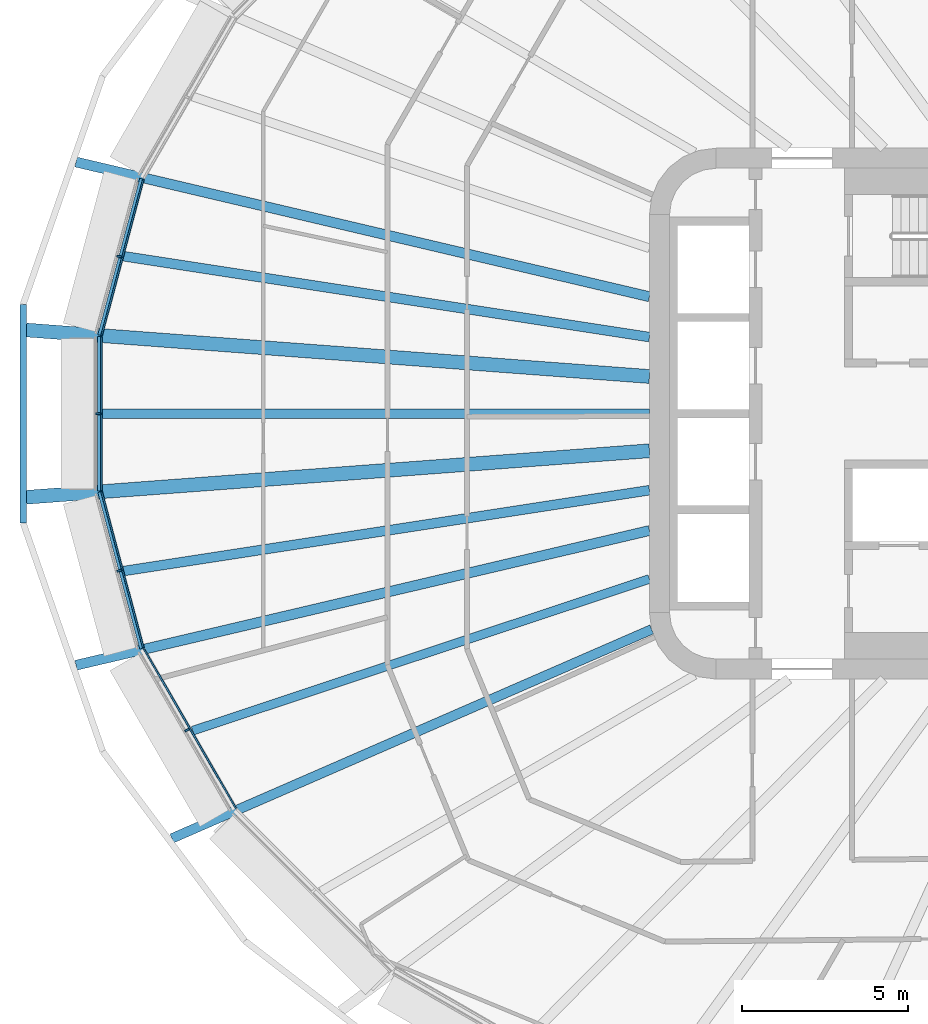
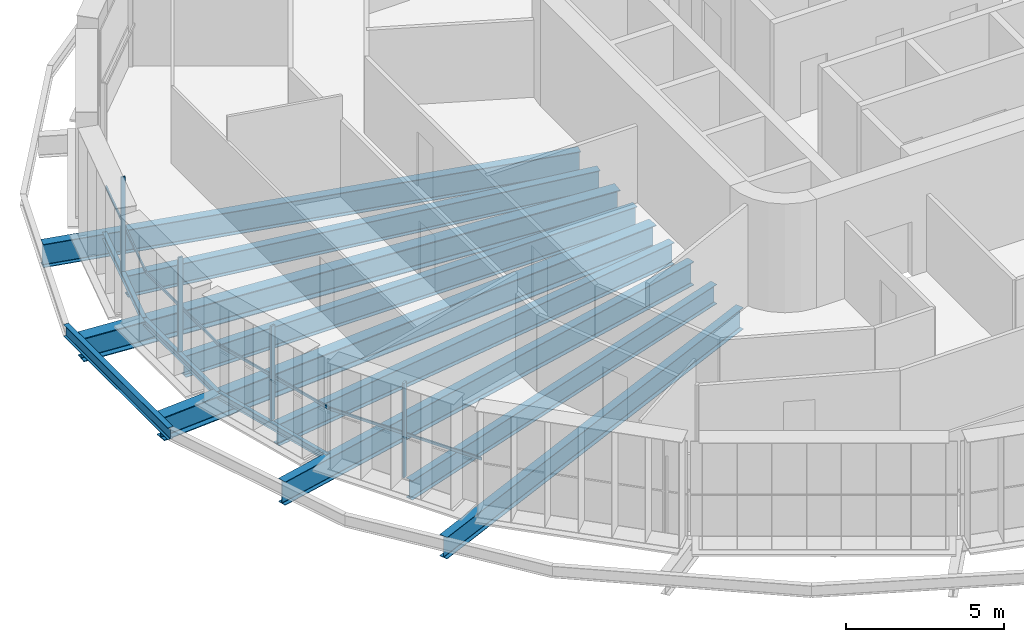
# One storey, part 3 of 26: 13 beams, 8 members, 4 elements without a shape of their own.
"""IFC4 building model written with IfcOpenShell, lengths in metres."""

from ifc_helpers import new_model, si_unit, direction, frame, origin, origin_2d, place, context, subcontext, project, spatial, rectangle, i_section, extrude, material, layer, layer_set, material_profile, profile_set, type_object, element, aggregate, save


model = new_model("IFC4")

# Units and contexts
model_context = context("Model", 3, precision=1e-05, world=origin(), true_north=direction((0.0, 1.0)))
body_context = subcontext(model_context, "Body", "Model", "MODEL_VIEW")
ifc_project = project(units=[si_unit("LENGTHUNIT", "METRE"), si_unit("AREAUNIT", "SQUARE_METRE"), si_unit("VOLUMEUNIT", "CUBIC_METRE"), si_unit("PLANEANGLEUNIT", "RADIAN"), si_unit("MASSUNIT", "GRAM", prefix="KILO")], contexts=[model_context])

# Site, building, storey
site_placement = place(None, origin())
site = spatial("IfcSite", under=ifc_project, at=site_placement, CompositionType="ELEMENT")
building_placement = place(site_placement, origin())
building = spatial("IfcBuilding", under=site, at=building_placement, Name="Sahrelin Media Tower", CompositionType="ELEMENT")
storey_placement = place(building_placement, frame((0.0, 0.0, 88.199951171875)))
storey = spatial("IfcBuildingStorey", under=building, at=storey_placement, Name="L16", CompositionType="ELEMENT", Elevation=88.199951171875)

# Beams
ifc_material_1 = material(Name="Steel S355", Category="steel")
ifc_material_profile_1 = material_profile(ifc_material_1, i_section(OverallWidth=0.14599609375, OverallDepth=0.25146484375, WebThickness=0.006103515625, FlangeThickness=0.008544921875, FilletRadius=0.007568359375, at=origin_2d()), Name="UB 254x146x31")
ifc_profile_set_1 = profile_set([ifc_material_profile_1], Name="Steel S355")
beam_type_1 = type_object("IfcBeamType", Name="Edge beam EB1", PredefinedType="BEAM", material=ifc_profile_set_1)
beam_1_placement = place(storey_placement, frame((-30.2939453125, -7.07666015625, -0.275634765625), z_axis=(-0.258845236834, 0.965918807855, 0.0), x_axis=(-0.965918807855, -0.258845236834, 0.0)))
element("IfcBeam", 1, at=beam_1_placement, inside=storey, type_object=beam_type_1, Name="Edge beam L16-12", PredefinedType="BEAM", context=body_context, shape_type="SweptSolid", body=[
    extrude(i_section(OverallWidth=0.14599609375, OverallDepth=0.25146484375, WebThickness=0.006103515625, FlangeThickness=0.008544921875, FilletRadius=0.007568359375, at=origin_2d()), origin(), (0.0, 0.0, 1.0), 4.882080078125),
])
beam_2_placement = place(storey_placement, frame((-31.561279296875, -2.33251953125, -0.275634765625), z_axis=(0.0, 1.0, 0.0), x_axis=(-1.0, 0.0, 0.0)))
element("IfcBeam", 2, at=beam_2_placement, inside=storey, type_object=beam_type_1, Name="Edge beam L16-13", PredefinedType="BEAM", context=body_context, shape_type="SweptSolid", body=[
    extrude(i_section(OverallWidth=0.14599609375, OverallDepth=0.25146484375, WebThickness=0.006103515625, FlangeThickness=0.008544921875, FilletRadius=0.007568359375, at=origin_2d()), origin(), (0.0, 0.0, 1.0), 4.6650390625),
])
beam_3_placement = place(storey_placement, frame((-31.5576171875, 2.361083984375, -0.275634765625), z_axis=(0.258845236834, 0.965918807855, 0.0), x_axis=(-0.965918807855, 0.258845236834, 0.0)))
element("IfcBeam", 3, at=beam_3_placement, inside=storey, type_object=beam_type_1, Name="Edge beam L16-14", PredefinedType="BEAM", context=body_context, shape_type="SweptSolid", body=[
    extrude(i_section(OverallWidth=0.14599609375, OverallDepth=0.25146484375, WebThickness=0.006103515625, FlangeThickness=0.008544921875, FilletRadius=0.007568359375, at=origin_2d()), origin(), (0.0, 0.0, 1.0), 4.882080078125),
])

# Curtain wall, member
ifc_material_2 = material(Name="Champagne anodised aluminium 6063-T6", Category="aluminium")
ifc_layer = layer(ifc_material_2, 0.14990234375)
ifc_layer_set = layer_set([ifc_layer], Name="Tower ribbon curtain wall")
curtain_wall_type = type_object("IfcCurtainWallType", Name="Tower ribbon curtain wall", PredefinedType="NOTDEFINED", material=ifc_layer_set)
curtain_wall_1_placement = place(storey_placement, frame((-31.07080078125, 4.757568359375, 0.0), z_axis=(0.0, 0.0, 1.0), x_axis=(1.0, 0.0, 0.0)))
curtain_wall_1 = element("IfcCurtainWall", 4, at=curtain_wall_1_placement, inside=storey, type_object=curtain_wall_type, Name="L16:CW:L16-11", PredefinedType="NOTDEFINED")
ifc_material_profile_2 = material_profile(ifc_material_2, rectangle(XDim=0.06005859375, YDim=0.14990234375, at=origin_2d()), Name="Mullion 60x150")
ifc_profile_set_2 = profile_set([ifc_material_profile_2], Name="Champagne anodised aluminium 6063-T6")
member_type_1 = type_object("IfcMemberType", Name="Mullion 60x150 CW1", PredefinedType="MULLION", material=ifc_profile_set_2)
member_1_placement = place(storey_placement, frame((-30.97900390625, 4.733154296875, 0.0), z_axis=(0.0, 0.0, 1.0), x_axis=(-0.258817359244, -0.965926278012, 0.0)))
member_1 = element("IfcMember", 5, at=member_1_placement, type_object=member_type_1, Name="L16:CWM:L16-11", PredefinedType="MULLION", context=body_context, shape_type="SweptSolid", body=[
    extrude(rectangle(XDim=0.06005859375, YDim=0.14990234375, at=origin_2d()), origin(), (0.0, 0.0, 1.0), 3.648681640625),
])

curtain_wall_2_placement = place(storey_placement, frame((-31.711181640625, 0.0, 0.0), z_axis=(0.0, 0.0, 1.0), x_axis=(1.0, 0.0, 0.0)))
curtain_wall_2 = element("IfcCurtainWall", 6, at=curtain_wall_2_placement, inside=storey, type_object=curtain_wall_type, Name="L16:CW:L16-12", PredefinedType="NOTDEFINED")
member_2_placement = place(storey_placement, frame((-31.6162109375, 0.0, 0.0), z_axis=(0.0, 0.0, 1.0), x_axis=(0.0, -1.0, 0.0)))
member_2 = element("IfcMember", 7, at=member_2_placement, type_object=member_type_1, Name="L16:CWM:L16-12", PredefinedType="MULLION", context=body_context, shape_type="SweptSolid", body=[
    extrude(rectangle(XDim=0.06005859375, YDim=0.14990234375, at=origin_2d()), origin(), (0.0, 0.0, 1.0), 3.648681640625),
])

curtain_wall_3_placement = place(storey_placement, frame((-31.07080078125, -4.757568359375, 0.0), z_axis=(0.0, 0.0, 1.0), x_axis=(1.0, 0.0, 0.0)))
curtain_wall_3 = element("IfcCurtainWall", 8, at=curtain_wall_3_placement, inside=storey, type_object=curtain_wall_type, Name="L16:CW:L16-13", PredefinedType="NOTDEFINED")
member_3_placement = place(storey_placement, frame((-30.97900390625, -4.733154296875, 0.0), z_axis=(0.0, 0.0, 1.0), x_axis=(0.258817359244, -0.965926278012, 0.0)))
member_3 = element("IfcMember", 9, at=member_3_placement, type_object=member_type_1, Name="L16:CWM:L16-13", PredefinedType="MULLION", context=body_context, shape_type="SweptSolid", body=[
    extrude(rectangle(XDim=0.06005859375, YDim=0.14990234375, at=origin_2d()), origin(), (0.0, 0.0, 1.0), 3.648681640625),
])

curtain_wall_4_placement = place(storey_placement, frame((-29.021484375, -9.58837890625, 0.0), z_axis=(0.0, 0.0, 1.0), x_axis=(1.0, 0.0, 0.0)))
curtain_wall_4 = element("IfcCurtainWall", 10, at=curtain_wall_4_placement, inside=storey, type_object=curtain_wall_type, Name="L16:CW:L16-14", PredefinedType="NOTDEFINED")
member_4_placement = place(storey_placement, frame((-28.939208984375, -9.540771484375, 0.0), z_axis=(0.0, 0.0, 1.0), x_axis=(0.499990930976, -0.866030639725, 0.0)))
member_4 = element("IfcMember", 11, at=member_4_placement, type_object=member_type_1, Name="L16:CWM:L16-14", PredefinedType="MULLION", context=body_context, shape_type="SweptSolid", body=[
    extrude(rectangle(XDim=0.06005859375, YDim=0.14990234375, at=origin_2d()), origin(), (0.0, 0.0, 1.0), 3.648681640625),
])

# Beams
ifc_material_profile_3 = material_profile(ifc_material_1, i_section(OverallWidth=0.291748046875, OverallDepth=0.8349609375, WebThickness=0.013916015625, FlangeThickness=0.018798828125, FilletRadius=0.017822265625, at=origin_2d()), Name="UB 838x292x176")
ifc_profile_set_3 = profile_set([ifc_material_profile_3], Name="Steel S355")
beam_type_2 = type_object("IfcBeamType", Name="Radial primary beam PB10", PredefinedType="BEAM", material=ifc_profile_set_3)
beam_4_placement = place(storey_placement, frame((-14.93359375, -6.5048828125, -0.5673828125), z_axis=(-0.916801900048, -0.399342304381, 0.0), x_axis=(0.399342304381, -0.916801900048, 0.0)))
element("IfcBeam", 12, at=beam_4_placement, inside=storey, type_object=beam_type_2, Name="Radial beam L16-15", PredefinedType="BEAM", context=body_context, shape_type="SweptSolid", body=[
    extrude(i_section(OverallWidth=0.291748046875, OverallDepth=0.8349609375, WebThickness=0.013916015625, FlangeThickness=0.018798828125, FilletRadius=0.017822265625, at=origin_2d()), origin(), (0.0, 0.0, 1.0), 15.77490234375),
])
ifc_material_profile_4 = material_profile(ifc_material_1, i_section(OverallWidth=0.30322265625, OverallDepth=0.903076171875, WebThickness=0.01513671875, FlangeThickness=0.020263671875, FilletRadius=0.01904296875, at=origin_2d()), Name="UB 914x305x201")
ifc_profile_set_4 = profile_set([ifc_material_profile_4], Name="Steel S355")
beam_type_3 = type_object("IfcBeamType", Name="Radial primary beam PB11", PredefinedType="BEAM", material=ifc_profile_set_4)
for number, where, z_axis, x_axis, name in (
    (13, (-15.0, 3.523681640625, -0.6015625), (-0.973498615926, 0.228692904986, 0.0), (-0.228692904986, -0.973498615926, 0.0), "Radial beam L16-11"),
    (14, (-15.0, -3.523681640625, -0.6015625), (-0.973498615926, -0.228692904986, 0.0), (0.228692904986, -0.973498615926, 0.0), "Radial beam L16-14"),
):
    element("IfcBeam", number, at=place(storey_placement, frame(where, z_axis=z_axis, x_axis=x_axis)), inside=storey, type_object=beam_type_3, Name=name, PredefinedType="BEAM", context=body_context, shape_type="SweptSolid", body=[
        extrude(i_section(OverallWidth=0.30322265625, OverallDepth=0.903076171875, WebThickness=0.01513671875, FlangeThickness=0.020263671875, FilletRadius=0.01904296875, at=origin_2d()), origin(), (0.0, 0.0, 1.0), 17.75537109375),
    ])
ifc_material_profile_5 = material_profile(ifc_material_1, i_section(OverallWidth=0.41845703125, OverallDepth=0.911865234375, WebThickness=0.019287109375, FlangeThickness=0.031982421875, FilletRadius=0.024169921875, at=origin_2d()), Name="UB 914x419x343")
ifc_profile_set_5 = profile_set([ifc_material_profile_5], Name="Steel S355")
beam_type_4 = type_object("IfcBeamType", Name="Radial primary beam PB12", PredefinedType="BEAM", material=ifc_profile_set_5)
for number, where, z_axis, x_axis, name in (
    (15, (-15.0, 1.119384765625, -0.60595703125), (-0.997226576238, 0.074425503994, 0.0), (-0.074425503994, -0.997226576238, 0.0), "Radial beam L16-12"),
    (16, (-15.0, -1.119384765625, -0.60595703125), (-0.997226576238, -0.074425503994, 0.0), (0.074425503994, -0.997226576238, 0.0), "Radial beam L16-13"),
):
    element("IfcBeam", number, at=place(storey_placement, frame(where, z_axis=z_axis, x_axis=x_axis)), inside=storey, type_object=beam_type_4, Name=name, PredefinedType="BEAM", context=body_context, shape_type="SweptSolid", body=[
        extrude(i_section(OverallWidth=0.41845703125, OverallDepth=0.911865234375, WebThickness=0.019287109375, FlangeThickness=0.031982421875, FilletRadius=0.024169921875, at=origin_2d()), origin(), (0.0, 0.0, 1.0), 18.835693359375),
    ])
ifc_material_profile_6 = material_profile(ifc_material_1, i_section(OverallWidth=0.291748046875, OverallDepth=0.8349609375, WebThickness=0.013916015625, FlangeThickness=0.018798828125, FilletRadius=0.017822265625, at=origin_2d()), Name="UB 838x292x176")
ifc_profile_set_6 = profile_set([ifc_material_profile_6], Name="Steel S355")
beam_type_5 = type_object("IfcBeamType", Name="Radial secondary beam SB10", PredefinedType="BEAM", material=ifc_profile_set_6)
beam_5_placement = place(storey_placement, frame((-15.0, 2.30712890625, -0.5673828125), z_axis=(-0.988375923041, 0.152029716678, 0.0), x_axis=(-0.152029716678, -0.988375923041, 0.0)))
element("IfcBeam", 17, at=beam_5_placement, inside=storey, type_object=beam_type_5, Name="Secondary beam L16-11", PredefinedType="BEAM", context=body_context, shape_type="SweptSolid", body=[
    extrude(i_section(OverallWidth=0.291748046875, OverallDepth=0.8349609375, WebThickness=0.013916015625, FlangeThickness=0.018798828125, FilletRadius=0.017822265625, at=origin_2d()), origin(), (0.0, 0.0, 1.0), 16.02978515625),
])
beam_6_placement = place(storey_placement, frame((-15.0, 0.0, -0.5673828125), z_axis=(-1.0, 0.0, 0.0), x_axis=(0.0, -1.0, 0.0)))
element("IfcBeam", 18, at=beam_6_placement, inside=storey, type_object=beam_type_5, Name="Secondary beam L16-12", PredefinedType="BEAM", context=body_context, shape_type="SweptSolid", body=[
    extrude(i_section(OverallWidth=0.291748046875, OverallDepth=0.8349609375, WebThickness=0.013916015625, FlangeThickness=0.018798828125, FilletRadius=0.017822265625, at=origin_2d()), origin(), (0.0, 0.0, 1.0), 16.48828125),
])
beam_7_placement = place(storey_placement, frame((-15.0, -2.30712890625, -0.5673828125), z_axis=(-0.988375923041, -0.152029716678, 0.0), x_axis=(0.152029716678, -0.988375923041, 0.0)))
element("IfcBeam", 19, at=beam_7_placement, inside=storey, type_object=beam_type_5, Name="Secondary beam L16-13", PredefinedType="BEAM", context=body_context, shape_type="SweptSolid", body=[
    extrude(i_section(OverallWidth=0.291748046875, OverallDepth=0.8349609375, WebThickness=0.013916015625, FlangeThickness=0.018798828125, FilletRadius=0.017822265625, at=origin_2d()), origin(), (0.0, 0.0, 1.0), 16.02978515625),
])
ifc_material_profile_7 = material_profile(ifc_material_1, i_section(OverallWidth=0.26513671875, OverallDepth=0.75390625, WebThickness=0.0126953125, FlangeThickness=0.017578125, FilletRadius=0.0166015625, at=origin_2d()), Name="UB 762x267x147")
ifc_profile_set_7 = profile_set([ifc_material_profile_7], Name="Steel S355")
beam_type_6 = type_object("IfcBeamType", Name="Radial secondary beam SB9", PredefinedType="BEAM", material=ifc_profile_set_7)
beam_8_placement = place(storey_placement, frame((-15.0, -4.983642578125, -0.52685546875), z_axis=(-0.948994110949, -0.315293795346, 0.0), x_axis=(0.315293795346, -0.948994110949, 0.0)))
element("IfcBeam", 20, at=beam_8_placement, inside=storey, type_object=beam_type_6, Name="Secondary beam L16-14", PredefinedType="BEAM", context=body_context, shape_type="SweptSolid", body=[
    extrude(i_section(OverallWidth=0.26513671875, OverallDepth=0.75390625, WebThickness=0.0126953125, FlangeThickness=0.017578125, FilletRadius=0.0166015625, at=origin_2d()), origin(), (0.0, 0.0, 1.0), 14.510009765625),
])
ifc_material_profile_8 = material_profile(ifc_material_1, i_section(OverallWidth=0.1904296875, OverallDepth=0.45703125, WebThickness=0.009033203125, FlangeThickness=0.014404296875, FilletRadius=0.01025390625, at=origin_2d()), Name="UB 457x191x74")
ifc_profile_set_8 = profile_set([ifc_material_profile_8], Name="Steel S355")
beam_type_7 = type_object("IfcBeamType", Name="Tie chord TC5", PredefinedType="BEAM", material=ifc_profile_set_8)
beam_9_placement = place(storey_placement, frame((-33.878662109375, 3.2958984375, -0.37841796875), z_axis=(0.0, -1.0, 0.0), x_axis=(1.0, 0.0, 0.0)))
element("IfcBeam", 21, at=beam_9_placement, inside=storey, type_object=beam_type_7, Name="Tie chord L16-12", PredefinedType="BEAM", context=body_context, shape_type="SweptSolid", body=[
    extrude(i_section(OverallWidth=0.1904296875, OverallDepth=0.45703125, WebThickness=0.009033203125, FlangeThickness=0.014404296875, FilletRadius=0.01025390625, at=origin_2d()), origin(), (0.0, 0.0, 1.0), 6.591796875),
])

# Member
ifc_material_profile_9 = material_profile(ifc_material_2, rectangle(XDim=0.050048828125, YDim=0.10009765625, at=origin_2d()), Name="Transom 50x100")
ifc_profile_set_9 = profile_set([ifc_material_profile_9], Name="Champagne anodised aluminium 6063-T6")
member_type_2 = type_object("IfcMemberType", Name="Transom 50x100 CW1", PredefinedType="USERDEFINED", material=ifc_profile_set_9)
member_5_placement = place(storey_placement, frame((-30.254638671875, 7.0498046875, 1.60009765625), z_axis=(-0.258809044708, -0.965928505831, 0.0), x_axis=(0.965928505831, -0.258809044708, 0.0)))
member_5 = element("IfcMember", 22, at=member_5_placement, type_object=member_type_2, Name="L16:CWT:L16-11", ObjectType="TRANSOM", PredefinedType="USERDEFINED", context=body_context, shape_type="SweptSolid", body=[
    extrude(rectangle(XDim=0.050048828125, YDim=0.10009765625, at=origin_2d()), origin(), (0.0, 0.0, 1.0), 4.8505859375),
])

aggregate(curtain_wall_1, [member_1, member_5])

member_6_placement = place(storey_placement, frame((-31.516357421875, 2.316650390625, 1.60009765625), z_axis=(0.0, -1.0, 0.0), x_axis=(1.0, 0.0, 0.0)))
member_6 = element("IfcMember", 23, at=member_6_placement, type_object=member_type_2, Name="L16:CWT:L16-12", ObjectType="TRANSOM", PredefinedType="USERDEFINED", context=body_context, shape_type="SweptSolid", body=[
    extrude(rectangle(XDim=0.050048828125, YDim=0.10009765625, at=origin_2d()), origin(), (0.0, 0.0, 1.0), 4.63330078125),
])

aggregate(curtain_wall_2, [member_2, member_6])

member_7_placement = place(storey_placement, frame((-31.510009765625, -2.364501953125, 1.60009765625), z_axis=(0.258809044708, -0.965928505831, 0.0), x_axis=(0.965928505831, 0.258809044708, 0.0)))
member_7 = element("IfcMember", 24, at=member_7_placement, type_object=member_type_2, Name="L16:CWT:L16-13", ObjectType="TRANSOM", PredefinedType="USERDEFINED", context=body_context, shape_type="SweptSolid", body=[
    extrude(rectangle(XDim=0.050048828125, YDim=0.10009765625, at=origin_2d()), origin(), (0.0, 0.0, 1.0), 4.8505859375),
])

aggregate(curtain_wall_3, [member_3, member_7])

member_8_placement = place(storey_placement, frame((-30.236083984375, -7.094482421875, 1.60009765625), z_axis=(0.500001219746, -0.866024699562, 0.0), x_axis=(0.866024699562, 0.500001219746, 0.0)))
member_8 = element("IfcMember", 25, at=member_8_placement, type_object=member_type_2, Name="L16:CWT:L16-14", ObjectType="TRANSOM", PredefinedType="USERDEFINED", context=body_context, shape_type="SweptSolid", body=[
    extrude(rectangle(XDim=0.050048828125, YDim=0.10009765625, at=origin_2d()), origin(), (0.0, 0.0, 1.0), 5.5341796875),
])

aggregate(curtain_wall_4, [member_4, member_8])

save(model, "model.ifc")
